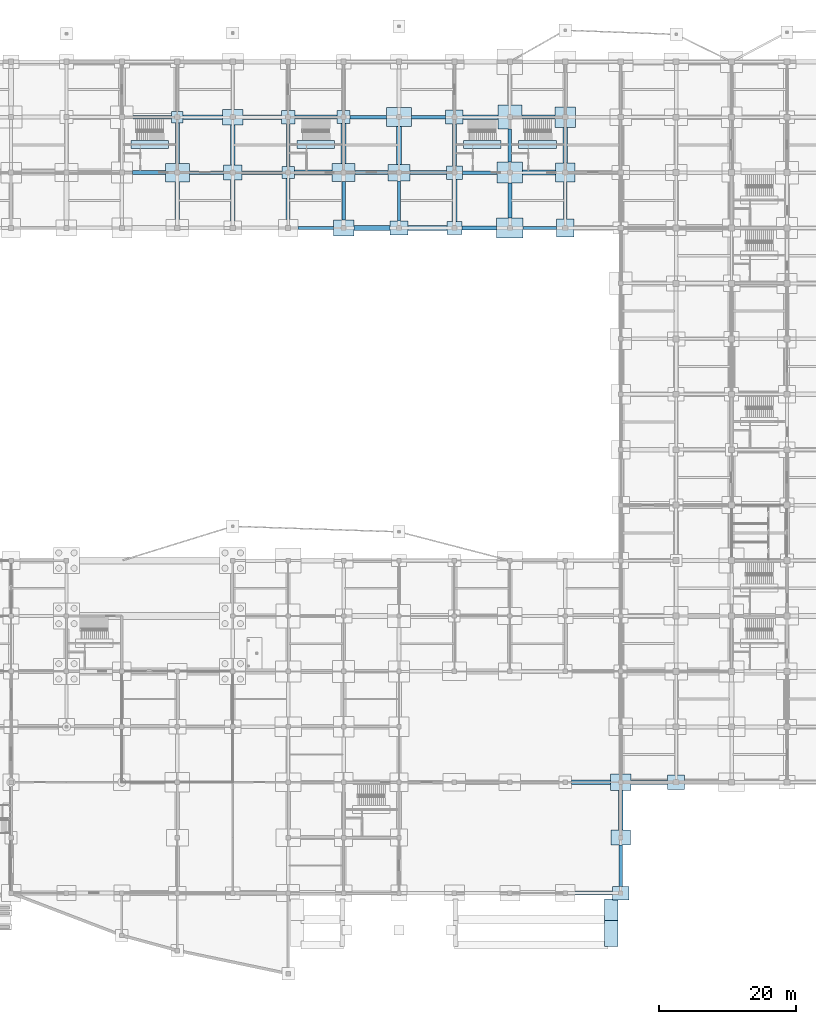
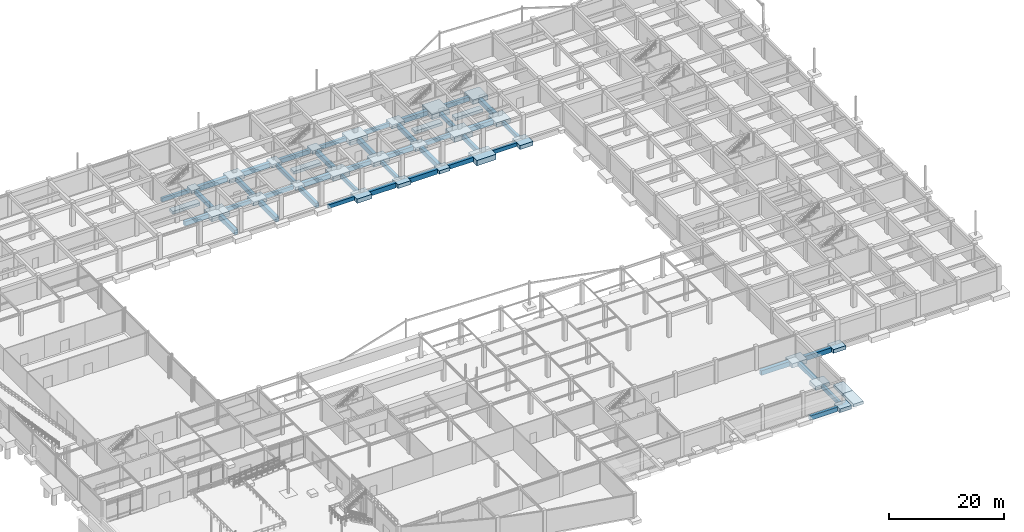
# One storey, part 6 of 67: 73 footings.
"""IFC4 building model written with IfcOpenShell, lengths in metres."""

from ifc_helpers import new_model, si_unit, direction, frame, origin, origin_2d, place, context, subcontext, project, spatial, rectangle, extrude, material, type_object, element, save


model = new_model("IFC4")

# Units and contexts
model_context = context("Model", 3, precision=1e-05, world=origin(), true_north=direction((0.0, 1.0)))
body_context = subcontext(model_context, "Body", "Model", "MODEL_VIEW")
ifc_project = project(units=[si_unit("LENGTHUNIT", "METRE"), si_unit("AREAUNIT", "SQUARE_METRE"), si_unit("VOLUMEUNIT", "CUBIC_METRE"), si_unit("PLANEANGLEUNIT", "RADIAN"), si_unit("MASSUNIT", "GRAM", prefix="KILO")], contexts=[model_context])

# Site, building, storey
site_placement = place(None, origin())
site = spatial("IfcSite", under=ifc_project, at=site_placement, CompositionType="ELEMENT")
building_placement = place(site_placement, origin())
building = spatial("IfcBuilding", under=site, at=building_placement, Name="Vaudrelin Polytechnic", CompositionType="ELEMENT")
storey_placement = place(building_placement, frame((0.0, 0.0, -5.10009765625)))
storey = spatial("IfcBuildingStorey", under=building, at=storey_placement, Name="B1", CompositionType="ELEMENT", Elevation=-5.10009765625)

# Footings
ifc_material = material(Name="Concrete 40 MPa", Category="concrete")
footing_type_1 = type_object("IfcFootingType", Name="FTG-GB-01", PredefinedType="FOOTING_BEAM", material=ifc_material)
footing_1_placement = place(storey_placement, frame((61.14990234375, 113.39990234375, -1.25), z_axis=(0.0, 0.0, 1.0), x_axis=(1.0, 0.0, 0.0)))
element("IfcFooting", 1, at=footing_1_placement, inside=storey, type_object=footing_type_1, Name="Ground tie beam GB-0123", PredefinedType="FOOTING_BEAM", context=body_context, shape_type="SweptSolid", body=[
    extrude(rectangle(XDim=5.60009765625, YDim=0.5, at=origin_2d()), origin(), (0.0, 0.0, 1.0), 0.800048828125),
])
footing_2_placement = place(storey_placement, frame((69.03759765625, 105.300048828125, -1.25), z_axis=(0.0, 0.0, 1.0), x_axis=(1.0, 0.0, 0.0)))
element("IfcFooting", 2, at=footing_2_placement, inside=storey, type_object=footing_type_1, Name="Ground tie beam GB-0135", PredefinedType="FOOTING_BEAM", context=body_context, shape_type="SweptSolid", body=[
    extrude(rectangle(XDim=4.97509765625, YDim=0.5, at=origin_2d()), origin(), (0.0, 0.0, 1.0), 0.800048828125),
])
footing_3_placement = place(storey_placement, frame((77.1875, 105.300048828125, -1.25), z_axis=(0.0, 0.0, 1.0), x_axis=(1.0, 0.0, 0.0)))
element("IfcFooting", 3, at=footing_3_placement, inside=storey, type_object=footing_type_1, Name="Ground tie beam GB-0150", PredefinedType="FOOTING_BEAM", context=body_context, shape_type="SweptSolid", body=[
    extrude(rectangle(XDim=5.824951171875, YDim=0.5, at=origin_2d()), origin(), (0.0, 0.0, 1.0), 0.800048828125),
])
footing_4_placement = place(storey_placement, frame((85.012451171875, 97.199951171875, -1.25), z_axis=(0.0, 0.0, 1.0), x_axis=(1.0, 0.0, 0.0)))
element("IfcFooting", 4, at=footing_4_placement, inside=storey, type_object=footing_type_1, Name="Ground tie beam GB-0168", PredefinedType="FOOTING_BEAM", context=body_context, shape_type="SweptSolid", body=[
    extrude(rectangle(XDim=5.175048828125, YDim=0.5, at=origin_2d()), origin(), (0.0, 0.0, 1.0), 0.800048828125),
])
footing_5_placement = place(storey_placement, frame((81.0, 109.300048828125, -1.25), z_axis=(0.0, 0.0, 1.0), x_axis=(1.0, 0.0, 0.0)))
element("IfcFooting", 5, at=footing_5_placement, inside=storey, type_object=footing_type_1, Name="Ground tie beam GB-0171", PredefinedType="FOOTING_BEAM", context=body_context, shape_type="SweptSolid", body=[
    extrude(rectangle(XDim=0.5, YDim=6.199951171875, at=origin_2d()), origin(), (0.0, 0.0, 1.0), 0.800048828125),
])
footing_6_placement = place(storey_placement, frame((89.10009765625, 101.199951171875, -1.25), z_axis=(0.0, 0.0, 1.0), x_axis=(1.0, 0.0, 0.0)))
element("IfcFooting", 6, at=footing_6_placement, inside=storey, type_object=footing_type_1, Name="Ground tie beam GB-0189", PredefinedType="FOOTING_BEAM", context=body_context, shape_type="SweptSolid", body=[
    extrude(rectangle(XDim=0.5, YDim=5.60009765625, at=origin_2d()), origin(), (0.0, 0.0, 1.0), 0.800048828125),
])
footing_7_placement = place(storey_placement, frame((92.72509765625, 113.39990234375, -1.25), z_axis=(0.0, 0.0, 1.0), x_axis=(1.0, 0.0, 0.0)))
element("IfcFooting", 7, at=footing_7_placement, inside=storey, type_object=footing_type_1, Name="Ground tie beam GB-0192", PredefinedType="FOOTING_BEAM", context=body_context, shape_type="SweptSolid", body=[
    extrude(rectangle(XDim=5.35009765625, YDim=0.5, at=origin_2d()), origin(), (0.0, 0.0, 1.0), 0.800048828125),
])
footing_8_placement = place(storey_placement, frame((97.199951171875, 101.14990234375, -1.25), z_axis=(0.0, 0.0, 1.0), x_axis=(1.0, 0.0, 0.0)))
element("IfcFooting", 8, at=footing_8_placement, inside=storey, type_object=footing_type_1, Name="Ground tie beam GB-0207", PredefinedType="FOOTING_BEAM", context=body_context, shape_type="SweptSolid", body=[
    extrude(rectangle(XDim=0.5, YDim=5.89990234375, at=origin_2d()), origin(), (0.0, 0.0, 1.0), 0.800048828125),
])
footing_9_placement = place(storey_placement, frame((101.512451171875, 113.39990234375, -1.25), z_axis=(0.0, 0.0, 1.0), x_axis=(1.0, 0.0, 0.0)))
element("IfcFooting", 9, at=footing_9_placement, inside=storey, type_object=footing_type_1, Name="Ground tie beam GB-0210", PredefinedType="FOOTING_BEAM", context=body_context, shape_type="SweptSolid", body=[
    extrude(rectangle(XDim=5.02490234375, YDim=0.5, at=origin_2d()), origin(), (0.0, 0.0, 1.0), 0.800048828125),
])
footing_10_placement = place(storey_placement, frame((109.012451171875, 105.300048828125, -1.25), z_axis=(0.0, 0.0, 1.0), x_axis=(1.0, 0.0, 0.0)))
element("IfcFooting", 10, at=footing_10_placement, inside=storey, type_object=footing_type_1, Name="Ground tie beam GB-0222", PredefinedType="FOOTING_BEAM", context=body_context, shape_type="SweptSolid", body=[
    extrude(rectangle(XDim=5.074951171875, YDim=0.5, at=origin_2d()), origin(), (0.0, 0.0, 1.0), 0.800048828125),
])
footing_11_placement = place(storey_placement, frame((117.77490234375, 97.199951171875, -1.25), z_axis=(0.0, 0.0, 1.0), x_axis=(1.0, 0.0, 0.0)))
element("IfcFooting", 11, at=footing_11_placement, inside=storey, type_object=footing_type_1, Name="Ground tie beam GB-0234", PredefinedType="FOOTING_BEAM", context=body_context, shape_type="SweptSolid", body=[
    extrude(rectangle(XDim=4.85009765625, YDim=0.5, at=origin_2d()), origin(), (0.0, 0.0, 1.0), 0.800048828125),
])
footing_12_placement = place(storey_placement, frame((113.39990234375, 109.25, -1.25), z_axis=(0.0, 0.0, 1.0), x_axis=(1.0, 0.0, 0.0)))
element("IfcFooting", 12, at=footing_12_placement, inside=storey, type_object=footing_type_1, Name="Ground tie beam GB-0237", PredefinedType="FOOTING_BEAM", context=body_context, shape_type="SweptSolid", body=[
    extrude(rectangle(XDim=0.5, YDim=4.800048828125, at=origin_2d()), origin(), (0.0, 0.0, 1.0), 0.800048828125),
])
footing_13_placement = place(storey_placement, frame((121.5, 101.199951171875, -1.25), z_axis=(0.0, 0.0, 1.0), x_axis=(1.0, 0.0, 0.0)))
element("IfcFooting", 13, at=footing_13_placement, inside=storey, type_object=footing_type_1, Name="Ground tie beam GB-0249", PredefinedType="FOOTING_BEAM", context=body_context, shape_type="SweptSolid", body=[
    extrude(rectangle(XDim=0.5, YDim=5.39990234375, at=origin_2d()), origin(), (0.0, 0.0, 1.0), 0.800048828125),
])
footing_14_placement = place(storey_placement, frame((129.60009765625, 4.0, -1.25), z_axis=(0.0, 0.0, 1.0), x_axis=(1.0, 0.0, 0.0)))
element("IfcFooting", 14, at=footing_14_placement, inside=storey, type_object=footing_type_1, Name="Ground tie beam GB-0255", PredefinedType="FOOTING_BEAM", context=body_context, shape_type="SweptSolid", body=[
    extrude(rectangle(XDim=0.5, YDim=6.0, at=origin_2d()), origin(), (0.0, 0.0, 1.0), 0.800048828125),
])
footing_type_2 = type_object("IfcFootingType", Name="FTG-GB-02", PredefinedType="FOOTING_BEAM", material=ifc_material)
footing_15_placement = place(storey_placement, frame((60.64990234375, 105.300048828125, -1.349853515625), z_axis=(0.0, 0.0, 1.0), x_axis=(1.0, 0.0, 0.0)))
element("IfcFooting", 15, at=footing_15_placement, inside=storey, type_object=footing_type_2, Name="Ground tie beam GB-0121", PredefinedType="FOOTING_BEAM", context=body_context, shape_type="SweptSolid", body=[
    extrude(rectangle(XDim=4.800048828125, YDim=0.60009765625, at=origin_2d()), origin(), (0.0, 0.0, 1.0), 0.89990234375),
])
for number, where, z_axis, x_axis, name in (
    (16, (64.800048828125, 109.60009765625, -1.349853515625), (0.0, 0.0, 1.0), (1.0, 0.0, 0.0), "Ground tie beam GB-0136"),
    (17, (72.89990234375, 109.324951171875, -1.349853515625), (0.0, 0.0, 1.0), (1.0, 0.0, 0.0), "Ground tie beam GB-0151"),
):
    element("IfcFooting", number, at=place(storey_placement, frame(where, z_axis=z_axis, x_axis=x_axis)), inside=storey, type_object=footing_type_2, Name=name, PredefinedType="FOOTING_BEAM", context=body_context, shape_type="SweptSolid", body=[
        extrude(rectangle(XDim=0.60009765625, YDim=5.89990234375, at=origin_2d()), origin(), (0.0, 0.0, 1.0), 0.89990234375),
    ])
footing_16_placement = place(storey_placement, frame((81.0, 101.41259765625, -1.349853515625), z_axis=(0.0, 0.0, 1.0), x_axis=(1.0, 0.0, 0.0)))
element("IfcFooting", 18, at=footing_16_placement, inside=storey, type_object=footing_type_2, Name="Ground tie beam GB-0169", PredefinedType="FOOTING_BEAM", context=body_context, shape_type="SweptSolid", body=[
    extrude(rectangle(XDim=0.60009765625, YDim=5.97509765625, at=origin_2d()), origin(), (0.0, 0.0, 1.0), 0.89990234375),
])
footing_17_placement = place(storey_placement, frame((85.074951171875, 113.39990234375, -1.349853515625), z_axis=(0.0, 0.0, 1.0), x_axis=(1.0, 0.0, 0.0)))
element("IfcFooting", 19, at=footing_17_placement, inside=storey, type_object=footing_type_2, Name="Ground tie beam GB-0172", PredefinedType="FOOTING_BEAM", context=body_context, shape_type="SweptSolid", body=[
    extrude(rectangle(XDim=6.14990234375, YDim=0.60009765625, at=origin_2d()), origin(), (0.0, 0.0, 1.0), 0.89990234375),
])
footing_18_placement = place(storey_placement, frame((93.199951171875, 105.300048828125, -1.349853515625), z_axis=(0.0, 0.0, 1.0), x_axis=(1.0, 0.0, 0.0)))
element("IfcFooting", 20, at=footing_18_placement, inside=storey, type_object=footing_type_2, Name="Ground tie beam GB-0190", PredefinedType="FOOTING_BEAM", context=body_context, shape_type="SweptSolid", body=[
    extrude(rectangle(XDim=4.800048828125, YDim=0.60009765625, at=origin_2d()), origin(), (0.0, 0.0, 1.0), 0.89990234375),
])
footing_19_placement = place(storey_placement, frame((101.46240234375, 105.300048828125, -1.349853515625), z_axis=(0.0, 0.0, 1.0), x_axis=(1.0, 0.0, 0.0)))
element("IfcFooting", 21, at=footing_19_placement, inside=storey, type_object=footing_type_2, Name="Ground tie beam GB-0208", PredefinedType="FOOTING_BEAM", context=body_context, shape_type="SweptSolid", body=[
    extrude(rectangle(XDim=5.324951171875, YDim=0.60009765625, at=origin_2d()), origin(), (0.0, 0.0, 1.0), 0.89990234375),
])
footing_20_placement = place(storey_placement, frame((108.91259765625, 97.199951171875, -1.349853515625), z_axis=(0.0, 0.0, 1.0), x_axis=(1.0, 0.0, 0.0)))
element("IfcFooting", 22, at=footing_20_placement, inside=storey, type_object=footing_type_2, Name="Ground tie beam GB-0220", PredefinedType="FOOTING_BEAM", context=body_context, shape_type="SweptSolid", body=[
    extrude(rectangle(XDim=5.074951171875, YDim=0.60009765625, at=origin_2d()), origin(), (0.0, 0.0, 1.0), 0.89990234375),
])
footing_21_placement = place(storey_placement, frame((105.300048828125, 109.324951171875, -1.349853515625), z_axis=(0.0, 0.0, 1.0), x_axis=(1.0, 0.0, 0.0)))
element("IfcFooting", 23, at=footing_21_placement, inside=storey, type_object=footing_type_2, Name="Ground tie beam GB-0223", PredefinedType="FOOTING_BEAM", context=body_context, shape_type="SweptSolid", body=[
    extrude(rectangle(XDim=0.60009765625, YDim=6.10009765625, at=origin_2d()), origin(), (0.0, 0.0, 1.0), 0.89990234375),
])
footing_22_placement = place(storey_placement, frame((113.39990234375, 101.199951171875, -1.349853515625), z_axis=(0.0, 0.0, 1.0), x_axis=(1.0, 0.0, 0.0)))
element("IfcFooting", 24, at=footing_22_placement, inside=storey, type_object=footing_type_2, Name="Ground tie beam GB-0235", PredefinedType="FOOTING_BEAM", context=body_context, shape_type="SweptSolid", body=[
    extrude(rectangle(XDim=0.60009765625, YDim=5.10009765625, at=origin_2d()), origin(), (0.0, 0.0, 1.0), 0.89990234375),
])
footing_23_placement = place(storey_placement, frame((117.574951171875, 113.39990234375, -1.349853515625), z_axis=(0.0, 0.0, 1.0), x_axis=(1.0, 0.0, 0.0)))
element("IfcFooting", 25, at=footing_23_placement, inside=storey, type_object=footing_type_2, Name="Ground tie beam GB-0238", PredefinedType="FOOTING_BEAM", context=body_context, shape_type="SweptSolid", body=[
    extrude(rectangle(XDim=4.85009765625, YDim=0.60009765625, at=origin_2d()), origin(), (0.0, 0.0, 1.0), 0.89990234375),
])
footing_24_placement = place(storey_placement, frame((125.66259765625, 0.0, -1.349853515625), z_axis=(0.0, 0.0, 1.0), x_axis=(1.0, 0.0, 0.0)))
element("IfcFooting", 26, at=footing_24_placement, inside=storey, type_object=footing_type_2, Name="Ground tie beam GB-0241", PredefinedType="FOOTING_BEAM", context=body_context, shape_type="SweptSolid", body=[
    extrude(rectangle(XDim=5.47509765625, YDim=0.60009765625, at=origin_2d()), origin(), (0.0, 0.0, 1.0), 0.89990234375),
])
footing_25_placement = place(storey_placement, frame((129.60009765625, 12.10009765625, -1.349853515625), z_axis=(0.0, 0.0, 1.0), x_axis=(1.0, 0.0, 0.0)))
element("IfcFooting", 27, at=footing_25_placement, inside=storey, type_object=footing_type_2, Name="Ground tie beam GB-0256", PredefinedType="FOOTING_BEAM", context=body_context, shape_type="SweptSolid", body=[
    extrude(rectangle(XDim=0.60009765625, YDim=5.800048828125, at=origin_2d()), origin(), (0.0, 0.0, 1.0), 0.89990234375),
])
footing_type_3 = type_object("IfcFootingType", Name="FTG-GB-03", PredefinedType="FOOTING_BEAM", material=ifc_material)
footing_26_placement = place(storey_placement, frame((64.800048828125, 101.199951171875, -1.449951171875), z_axis=(0.0, 0.0, 1.0), x_axis=(1.0, 0.0, 0.0)))
element("IfcFooting", 28, at=footing_26_placement, inside=storey, type_object=footing_type_3, Name="Ground tie beam GB-0134", PredefinedType="FOOTING_BEAM", context=body_context, shape_type="SweptSolid", body=[
    extrude(rectangle(XDim=0.699951171875, YDim=5.5, at=origin_2d()), origin(), (0.0, 0.0, 1.0), 1.0),
])
footing_27_placement = place(storey_placement, frame((68.53759765625, 113.39990234375, -1.449951171875), z_axis=(0.0, 0.0, 1.0), x_axis=(1.0, 0.0, 0.0)))
element("IfcFooting", 29, at=footing_27_placement, inside=storey, type_object=footing_type_3, Name="Ground tie beam GB-0137", PredefinedType="FOOTING_BEAM", context=body_context, shape_type="SweptSolid", body=[
    extrude(rectangle(XDim=5.77490234375, YDim=0.699951171875, at=origin_2d()), origin(), (0.0, 0.0, 1.0), 1.0),
])
footing_28_placement = place(storey_placement, frame((72.89990234375, 101.22509765625, -1.449951171875), z_axis=(0.0, 0.0, 1.0), x_axis=(1.0, 0.0, 0.0)))
element("IfcFooting", 30, at=footing_28_placement, inside=storey, type_object=footing_type_3, Name="Ground tie beam GB-0149", PredefinedType="FOOTING_BEAM", context=body_context, shape_type="SweptSolid", body=[
    extrude(rectangle(XDim=0.699951171875, YDim=6.0, at=origin_2d()), origin(), (0.0, 0.0, 1.0), 1.0),
])
footing_29_placement = place(storey_placement, frame((77.1875, 113.39990234375, -1.449951171875), z_axis=(0.0, 0.0, 1.0), x_axis=(1.0, 0.0, 0.0)))
element("IfcFooting", 31, at=footing_29_placement, inside=storey, type_object=footing_type_3, Name="Ground tie beam GB-0152", PredefinedType="FOOTING_BEAM", context=body_context, shape_type="SweptSolid", body=[
    extrude(rectangle(XDim=5.625, YDim=0.699951171875, at=origin_2d()), origin(), (0.0, 0.0, 1.0), 1.0),
])
footing_30_placement = place(storey_placement, frame((84.64990234375, 105.300048828125, -1.449951171875), z_axis=(0.0, 0.0, 1.0), x_axis=(1.0, 0.0, 0.0)))
element("IfcFooting", 32, at=footing_30_placement, inside=storey, type_object=footing_type_3, Name="Ground tie beam GB-0170", PredefinedType="FOOTING_BEAM", context=body_context, shape_type="SweptSolid", body=[
    extrude(rectangle(XDim=5.5, YDim=0.699951171875, at=origin_2d()), origin(), (0.0, 0.0, 1.0), 1.0),
])
footing_31_placement = place(storey_placement, frame((93.25, 97.199951171875, -1.449951171875), z_axis=(0.0, 0.0, 1.0), x_axis=(1.0, 0.0, 0.0)))
element("IfcFooting", 33, at=footing_31_placement, inside=storey, type_object=footing_type_3, Name="Ground tie beam GB-0188", PredefinedType="FOOTING_BEAM", context=body_context, shape_type="SweptSolid", body=[
    extrude(rectangle(XDim=5.300048828125, YDim=0.699951171875, at=origin_2d()), origin(), (0.0, 0.0, 1.0), 1.0),
])
footing_32_placement = place(storey_placement, frame((89.10009765625, 109.52490234375, -1.449951171875), z_axis=(0.0, 0.0, 1.0), x_axis=(1.0, 0.0, 0.0)))
element("IfcFooting", 34, at=footing_32_placement, inside=storey, type_object=footing_type_3, Name="Ground tie beam GB-0191", PredefinedType="FOOTING_BEAM", context=body_context, shape_type="SweptSolid", body=[
    extrude(rectangle(XDim=0.699951171875, YDim=5.85009765625, at=origin_2d()), origin(), (0.0, 0.0, 1.0), 1.0),
])
footing_33_placement = place(storey_placement, frame((101.362548828125, 97.199951171875, -1.449951171875), z_axis=(0.0, 0.0, 1.0), x_axis=(1.0, 0.0, 0.0)))
element("IfcFooting", 35, at=footing_33_placement, inside=storey, type_object=footing_type_3, Name="Ground tie beam GB-0206", PredefinedType="FOOTING_BEAM", context=body_context, shape_type="SweptSolid", body=[
    extrude(rectangle(XDim=5.72509765625, YDim=0.699951171875, at=origin_2d()), origin(), (0.0, 0.0, 1.0), 1.0),
])
footing_34_placement = place(storey_placement, frame((97.199951171875, 109.25, -1.449951171875), z_axis=(0.0, 0.0, 1.0), x_axis=(1.0, 0.0, 0.0)))
element("IfcFooting", 36, at=footing_34_placement, inside=storey, type_object=footing_type_3, Name="Ground tie beam GB-0209", PredefinedType="FOOTING_BEAM", context=body_context, shape_type="SweptSolid", body=[
    extrude(rectangle(XDim=0.699951171875, YDim=5.5, at=origin_2d()), origin(), (0.0, 0.0, 1.0), 1.0),
])
footing_35_placement = place(storey_placement, frame((105.300048828125, 101.22509765625, -1.449951171875), z_axis=(0.0, 0.0, 1.0), x_axis=(1.0, 0.0, 0.0)))
element("IfcFooting", 37, at=footing_35_placement, inside=storey, type_object=footing_type_3, Name="Ground tie beam GB-0221", PredefinedType="FOOTING_BEAM", context=body_context, shape_type="SweptSolid", body=[
    extrude(rectangle(XDim=0.699951171875, YDim=6.199951171875, at=origin_2d()), origin(), (0.0, 0.0, 1.0), 1.0),
])
footing_36_placement = place(storey_placement, frame((109.112548828125, 113.39990234375, -1.449951171875), z_axis=(0.0, 0.0, 1.0), x_axis=(1.0, 0.0, 0.0)))
element("IfcFooting", 38, at=footing_36_placement, inside=storey, type_object=footing_type_3, Name="Ground tie beam GB-0224", PredefinedType="FOOTING_BEAM", context=body_context, shape_type="SweptSolid", body=[
    extrude(rectangle(XDim=5.074951171875, YDim=0.699951171875, at=origin_2d()), origin(), (0.0, 0.0, 1.0), 1.0),
])
footing_37_placement = place(storey_placement, frame((117.675048828125, 105.300048828125, -1.449951171875), z_axis=(0.0, 0.0, 1.0), x_axis=(1.0, 0.0, 0.0)))
element("IfcFooting", 39, at=footing_37_placement, inside=storey, type_object=footing_type_3, Name="Ground tie beam GB-0236", PredefinedType="FOOTING_BEAM", context=body_context, shape_type="SweptSolid", body=[
    extrude(rectangle(XDim=4.85009765625, YDim=0.699951171875, at=origin_2d()), origin(), (0.0, 0.0, 1.0), 1.0),
])
footing_38_placement = place(storey_placement, frame((125.25, 16.199951171875, -1.449951171875), z_axis=(0.0, 0.0, 1.0), x_axis=(1.0, 0.0, 0.0)))
element("IfcFooting", 40, at=footing_38_placement, inside=storey, type_object=footing_type_3, Name="Ground tie beam GB-0242", PredefinedType="FOOTING_BEAM", context=body_context, shape_type="SweptSolid", body=[
    extrude(rectangle(XDim=5.699951171875, YDim=0.699951171875, at=origin_2d()), origin(), (0.0, 0.0, 1.0), 1.0),
])
footing_39_placement = place(storey_placement, frame((121.5, 109.300048828125, -1.449951171875), z_axis=(0.0, 0.0, 1.0), x_axis=(1.0, 0.0, 0.0)))
element("IfcFooting", 41, at=footing_39_placement, inside=storey, type_object=footing_type_3, Name="Ground tie beam GB-0251", PredefinedType="FOOTING_BEAM", context=body_context, shape_type="SweptSolid", body=[
    extrude(rectangle(XDim=0.699951171875, YDim=5.199951171875, at=origin_2d()), origin(), (0.0, 0.0, 1.0), 1.0),
])
footing_40_placement = place(storey_placement, frame((133.77490234375, 16.199951171875, -1.449951171875), z_axis=(0.0, 0.0, 1.0), x_axis=(1.0, 0.0, 0.0)))
element("IfcFooting", 42, at=footing_40_placement, inside=storey, type_object=footing_type_3, Name="Ground tie beam GB-0257", PredefinedType="FOOTING_BEAM", context=body_context, shape_type="SweptSolid", body=[
    extrude(rectangle(XDim=5.35009765625, YDim=0.699951171875, at=origin_2d()), origin(), (0.0, 0.0, 1.0), 1.0),
])
footing_type_4 = type_object("IfcFootingType", Name="FTG-PF-01", PredefinedType="PAD_FOOTING", material=ifc_material)
footing_41_placement = place(storey_placement, frame((81.0, 105.300048828125, -1.099853515625), z_axis=(0.0, 0.0, 1.0), x_axis=(1.0, 0.0, 0.0)))
element("IfcFooting", 43, at=footing_41_placement, inside=storey, type_object=footing_type_4, Name="Spread footing 10-13", PredefinedType="PAD_FOOTING", context=body_context, shape_type="SweptSolid", body=[
    extrude(rectangle(XDim=1.800048828125, YDim=1.800048828125, at=origin_2d()), origin(), (0.0, 0.0, 1.0), 0.64990234375),
])
footing_type_5 = type_object("IfcFootingType", Name="FTG-PF-02", PredefinedType="PAD_FOOTING", material=ifc_material)
footing_42_placement = place(storey_placement, frame((81.0, 113.39990234375, -1.14990234375), z_axis=(0.0, 0.0, 1.0), x_axis=(1.0, 0.0, 0.0)))
element("IfcFooting", 44, at=footing_42_placement, inside=storey, type_object=footing_type_5, Name="Spread footing 10-14", PredefinedType="PAD_FOOTING", context=body_context, shape_type="SweptSolid", body=[
    extrude(rectangle(XDim=2.0, YDim=2.0, at=origin_2d()), origin(), (0.0, 0.0, 1.0), 0.699951171875),
])
footing_type_6 = type_object("IfcFootingType", Name="FTG-PF-05", PredefinedType="PAD_FOOTING", material=ifc_material)
footing_43_placement = place(storey_placement, frame((121.5, 97.199951171875, -1.300048828125), z_axis=(0.0, 0.0, 1.0), x_axis=(1.0, 0.0, 0.0)))
element("IfcFooting", 45, at=footing_43_placement, inside=storey, type_object=footing_type_6, Name="Spread footing 15-12", PredefinedType="PAD_FOOTING", context=body_context, shape_type="SweptSolid", body=[
    extrude(rectangle(XDim=2.60009765625, YDim=2.60009765625, at=origin_2d()), origin(), (0.0, 0.0, 1.0), 0.85009765625),
])
footing_type_7 = type_object("IfcFootingType", Name="FTG-PF-06", PredefinedType="PAD_FOOTING", material=ifc_material)
footing_44_placement = place(storey_placement, frame((121.5, 105.300048828125, -1.349853515625), z_axis=(0.0, 0.0, 1.0), x_axis=(1.0, 0.0, 0.0)))
element("IfcFooting", 46, at=footing_44_placement, inside=storey, type_object=footing_type_7, Name="Spread footing 15-13", PredefinedType="PAD_FOOTING", context=body_context, shape_type="SweptSolid", body=[
    extrude(rectangle(XDim=2.800048828125, YDim=2.800048828125, at=origin_2d()), origin(), (0.0, 0.0, 1.0), 0.89990234375),
])
footing_type_8 = type_object("IfcFootingType", Name="FTG-PF-07", PredefinedType="PAD_FOOTING", material=ifc_material)
footing_45_placement = place(storey_placement, frame((121.5, 113.39990234375, -1.39990234375), z_axis=(0.0, 0.0, 1.0), x_axis=(1.0, 0.0, 0.0)))
element("IfcFooting", 47, at=footing_45_placement, inside=storey, type_object=footing_type_8, Name="Spread footing 15-14", PredefinedType="PAD_FOOTING", context=body_context, shape_type="SweptSolid", body=[
    extrude(rectangle(XDim=3.0, YDim=3.0, at=origin_2d()), origin(), (0.0, 0.0, 1.0), 0.949951171875),
])
footing_type_9 = type_object("IfcFootingType", Name="FTG-PF-09", PredefinedType="PAD_FOOTING", material=ifc_material)
footing_46_placement = place(storey_placement, frame((129.60009765625, 0.0, -1.199951171875), z_axis=(0.0, 0.0, 1.0), x_axis=(1.0, 0.0, 0.0)))
element("IfcFooting", 48, at=footing_46_placement, inside=storey, type_object=footing_type_9, Name="Spread footing 16-0", PredefinedType="PAD_FOOTING", context=body_context, shape_type="SweptSolid", body=[
    extrude(rectangle(XDim=2.39990234375, YDim=2.0, at=origin_2d()), origin(), (0.0, 0.0, 1.0), 0.75),
])
footing_type_10 = type_object("IfcFootingType", Name="FTG-PF-10", PredefinedType="PAD_FOOTING", material=ifc_material)
footing_47_placement = place(storey_placement, frame((129.60009765625, 8.10009765625, -1.300048828125), z_axis=(0.0, 0.0, 1.0), x_axis=(1.0, 0.0, 0.0)))
element("IfcFooting", 49, at=footing_47_placement, inside=storey, type_object=footing_type_10, Name="Spread footing 16-1", PredefinedType="PAD_FOOTING", context=body_context, shape_type="SweptSolid", body=[
    extrude(rectangle(XDim=2.800048828125, YDim=2.199951171875, at=origin_2d()), origin(), (0.0, 0.0, 1.0), 0.85009765625),
])
footing_type_11 = type_object("IfcFootingType", Name="FTG-PF-11", PredefinedType="PAD_FOOTING", material=ifc_material)
for number, where, z_axis, x_axis, name in (
    (50, (89.10009765625, 97.199951171875, -1.349853515625), (0.0, 0.0, 1.0), (1.0, 0.0, 0.0), "Spread footing 11-12"),
    (51, (129.60009765625, 16.199951171875, -1.349853515625), (0.0, 0.0, 1.0), (1.0, 0.0, 0.0), "Spread footing 16-2"),
):
    element("IfcFooting", number, at=place(storey_placement, frame(where, z_axis=z_axis, x_axis=x_axis)), inside=storey, type_object=footing_type_11, Name=name, PredefinedType="PAD_FOOTING", context=body_context, shape_type="SweptSolid", body=[
        extrude(rectangle(XDim=3.0, YDim=2.39990234375, at=origin_2d()), origin(), (0.0, 0.0, 1.0), 0.89990234375),
    ])
footing_type_12 = type_object("IfcFootingType", Name="FTG-PF-12", PredefinedType="PAD_FOOTING", material=ifc_material)
footing_48_placement = place(storey_placement, frame((89.10009765625, 105.300048828125, -1.449951171875), z_axis=(0.0, 0.0, 1.0), x_axis=(1.0, 0.0, 0.0)))
element("IfcFooting", 52, at=footing_48_placement, inside=storey, type_object=footing_type_12, Name="Spread footing 11-13", PredefinedType="PAD_FOOTING", context=body_context, shape_type="SweptSolid", body=[
    extrude(rectangle(XDim=3.39990234375, YDim=2.60009765625, at=origin_2d()), origin(), (0.0, 0.0, 1.0), 1.0),
])
footing_type_13 = type_object("IfcFootingType", Name="FTG-PF-13", PredefinedType="PAD_FOOTING", material=ifc_material)
footing_49_placement = place(storey_placement, frame((89.10009765625, 113.39990234375, -1.099853515625), z_axis=(0.0, 0.0, 1.0), x_axis=(1.0, 0.0, 0.0)))
element("IfcFooting", 53, at=footing_49_placement, inside=storey, type_object=footing_type_13, Name="Spread footing 11-14", PredefinedType="PAD_FOOTING", context=body_context, shape_type="SweptSolid", body=[
    extrude(rectangle(XDim=1.89990234375, YDim=1.89990234375, at=origin_2d()), origin(), (0.0, 0.0, 1.0), 0.64990234375),
])
footing_type_14 = type_object("IfcFootingType", Name="FTG-PF-22", PredefinedType="PAD_FOOTING", material=ifc_material)
footing_50_placement = place(storey_placement, frame((97.199951171875, 97.199951171875, -1.25), z_axis=(0.0, 0.0, 1.0), x_axis=(1.0, 0.0, 0.0)))
element("IfcFooting", 54, at=footing_50_placement, inside=storey, type_object=footing_type_14, Name="Spread footing 12-12", PredefinedType="PAD_FOOTING", context=body_context, shape_type="SweptSolid", body=[
    extrude(rectangle(XDim=2.60009765625, YDim=2.0, at=origin_2d()), origin(), (0.0, 0.0, 1.0), 0.800048828125),
])
footing_type_15 = type_object("IfcFootingType", Name="FTG-PF-23", PredefinedType="PAD_FOOTING", material=ifc_material)
footing_51_placement = place(storey_placement, frame((97.199951171875, 105.300048828125, -1.39990234375), z_axis=(0.0, 0.0, 1.0), x_axis=(1.0, 0.0, 0.0)))
element("IfcFooting", 55, at=footing_51_placement, inside=storey, type_object=footing_type_15, Name="Spread footing 12-13", PredefinedType="PAD_FOOTING", context=body_context, shape_type="SweptSolid", body=[
    extrude(rectangle(XDim=3.199951171875, YDim=2.39990234375, at=origin_2d()), origin(), (0.0, 0.0, 1.0), 0.949951171875),
])
footing_type_16 = type_object("IfcFootingType", Name="FTG-PF-24", PredefinedType="PAD_FOOTING", material=ifc_material)
footing_52_placement = place(storey_placement, frame((97.199951171875, 113.39990234375, -1.550048828125), z_axis=(0.0, 0.0, 1.0), x_axis=(1.0, 0.0, 0.0)))
element("IfcFooting", 56, at=footing_52_placement, inside=storey, type_object=footing_type_16, Name="Spread footing 12-14", PredefinedType="PAD_FOOTING", context=body_context, shape_type="SweptSolid", body=[
    extrude(rectangle(XDim=3.60009765625, YDim=2.800048828125, at=origin_2d()), origin(), (0.0, 0.0, 1.0), 1.10009765625),
])
footing_type_17 = type_object("IfcFootingType", Name="FTG-PF-25", PredefinedType="PAD_FOOTING", material=ifc_material)
footing_53_placement = place(storey_placement, frame((137.699951171875, 16.199951171875, -1.22998046875), z_axis=(0.0, 0.0, 1.0), x_axis=(1.0, 0.0, 0.0)))
element("IfcFooting", 57, at=footing_53_placement, inside=storey, type_object=footing_type_17, Name="Spread footing 17-2", PredefinedType="PAD_FOOTING", context=body_context, shape_type="SweptSolid", body=[
    extrude(rectangle(XDim=2.5, YDim=2.10009765625, at=origin_2d()), origin(), (0.0, 0.0, 1.0), 0.780029296875),
])
footing_type_18 = type_object("IfcFootingType", Name="FTG-PF-28", PredefinedType="PAD_FOOTING", material=ifc_material)
footing_54_placement = place(storey_placement, frame((64.800048828125, 105.300048828125, -1.5), z_axis=(0.0, 0.0, 1.0), x_axis=(1.0, 0.0, 0.0)))
element("IfcFooting", 58, at=footing_54_placement, inside=storey, type_object=footing_type_18, Name="Spread footing 8-13", PredefinedType="PAD_FOOTING", context=body_context, shape_type="SweptSolid", body=[
    extrude(rectangle(XDim=3.5, YDim=2.699951171875, at=origin_2d()), origin(), (0.0, 0.0, 1.0), 1.050048828125),
])
footing_type_19 = type_object("IfcFootingType", Name="FTG-PF-29", PredefinedType="PAD_FOOTING", material=ifc_material)
footing_55_placement = place(storey_placement, frame((64.800048828125, 113.39990234375, -1.050048828125), z_axis=(0.0, 0.0, 1.0), x_axis=(1.0, 0.0, 0.0)))
element("IfcFooting", 59, at=footing_55_placement, inside=storey, type_object=footing_type_19, Name="Spread footing 8-14", PredefinedType="PAD_FOOTING", context=body_context, shape_type="SweptSolid", body=[
    extrude(rectangle(XDim=1.699951171875, YDim=1.699951171875, at=origin_2d()), origin(), (0.0, 0.0, 1.0), 0.60009765625),
])
footing_type_20 = type_object("IfcFootingType", Name="FTG-PF-31", PredefinedType="PAD_FOOTING", material=ifc_material)
footing_56_placement = place(storey_placement, frame((105.300048828125, 97.199951171875, -1.14990234375), z_axis=(0.0, 0.0, 1.0), x_axis=(1.0, 0.0, 0.0)))
element("IfcFooting", 60, at=footing_56_placement, inside=storey, type_object=footing_type_20, Name="Spread footing 13-12", PredefinedType="PAD_FOOTING", context=body_context, shape_type="SweptSolid", body=[
    extrude(rectangle(XDim=2.14990234375, YDim=1.85009765625, at=origin_2d()), origin(), (0.0, 0.0, 1.0), 0.699951171875),
])
footing_type_21 = type_object("IfcFootingType", Name="FTG-PF-32", PredefinedType="PAD_FOOTING", material=ifc_material)
footing_57_placement = place(storey_placement, frame((105.300048828125, 105.300048828125, -1.199951171875), z_axis=(0.0, 0.0, 1.0), x_axis=(1.0, 0.0, 0.0)))
element("IfcFooting", 61, at=footing_57_placement, inside=storey, type_object=footing_type_21, Name="Spread footing 13-13", PredefinedType="PAD_FOOTING", context=body_context, shape_type="SweptSolid", body=[
    extrude(rectangle(XDim=2.35009765625, YDim=1.949951171875, at=origin_2d()), origin(), (0.0, 0.0, 1.0), 0.75),
])
footing_type_22 = type_object("IfcFootingType", Name="FTG-PF-33", PredefinedType="PAD_FOOTING", material=ifc_material)
footing_58_placement = place(storey_placement, frame((105.300048828125, 113.39990234375, -1.25), z_axis=(0.0, 0.0, 1.0), x_axis=(1.0, 0.0, 0.0)))
element("IfcFooting", 62, at=footing_58_placement, inside=storey, type_object=footing_type_22, Name="Spread footing 13-14", PredefinedType="PAD_FOOTING", context=body_context, shape_type="SweptSolid", body=[
    extrude(rectangle(XDim=2.550048828125, YDim=2.050048828125, at=origin_2d()), origin(), (0.0, 0.0, 1.0), 0.800048828125),
])
footing_type_23 = type_object("IfcFootingType", Name="FTG-PF-34", PredefinedType="PAD_FOOTING", material=ifc_material)
footing_59_placement = place(storey_placement, frame((72.89990234375, 105.300048828125, -1.300048828125), z_axis=(0.0, 0.0, 1.0), x_axis=(1.0, 0.0, 0.0)))
element("IfcFooting", 63, at=footing_59_placement, inside=storey, type_object=footing_type_23, Name="Spread footing 9-13", PredefinedType="PAD_FOOTING", context=body_context, shape_type="SweptSolid", body=[
    extrude(rectangle(XDim=2.75, YDim=2.14990234375, at=origin_2d()), origin(), (0.0, 0.0, 1.0), 0.85009765625),
])
footing_type_24 = type_object("IfcFootingType", Name="FTG-PF-35", PredefinedType="PAD_FOOTING", material=ifc_material)
footing_60_placement = place(storey_placement, frame((72.89990234375, 113.39990234375, -1.349853515625), z_axis=(0.0, 0.0, 1.0), x_axis=(1.0, 0.0, 0.0)))
element("IfcFooting", 64, at=footing_60_placement, inside=storey, type_object=footing_type_24, Name="Spread footing 9-14", PredefinedType="PAD_FOOTING", context=body_context, shape_type="SweptSolid", body=[
    extrude(rectangle(XDim=2.949951171875, YDim=2.25, at=origin_2d()), origin(), (0.0, 0.0, 1.0), 0.89990234375),
])
footing_type_25 = type_object("IfcFootingType", Name="FTG-PF-40", PredefinedType="PAD_FOOTING", material=ifc_material)
footing_61_placement = place(storey_placement, frame((113.39990234375, 97.199951171875, -1.599853515625), z_axis=(0.0, 0.0, 1.0), x_axis=(1.0, 0.0, 0.0)))
element("IfcFooting", 65, at=footing_61_placement, inside=storey, type_object=footing_type_25, Name="Spread footing 14-12", PredefinedType="PAD_FOOTING", context=body_context, shape_type="SweptSolid", body=[
    extrude(rectangle(XDim=3.89990234375, YDim=2.89990234375, at=origin_2d()), origin(), (0.0, 0.0, 1.0), 1.14990234375),
])
footing_type_26 = type_object("IfcFootingType", Name="FTG-PF-41", PredefinedType="PAD_FOOTING", material=ifc_material)
footing_62_placement = place(storey_placement, frame((113.39990234375, 105.300048828125, -1.550048828125), z_axis=(0.0, 0.0, 1.0), x_axis=(1.0, 0.0, 0.0)))
element("IfcFooting", 66, at=footing_62_placement, inside=storey, type_object=footing_type_26, Name="Spread footing 14-13", PredefinedType="PAD_FOOTING", context=body_context, shape_type="SweptSolid", body=[
    extrude(rectangle(XDim=3.699951171875, YDim=3.10009765625, at=origin_2d()), origin(), (0.0, 0.0, 1.0), 1.10009765625),
])
footing_type_27 = type_object("IfcFootingType", Name="FTG-PF-42", PredefinedType="PAD_FOOTING", material=ifc_material)
footing_63_placement = place(storey_placement, frame((113.39990234375, 113.39990234375, -1.550048828125), z_axis=(0.0, 0.0, 1.0), x_axis=(1.0, 0.0, 0.0)))
element("IfcFooting", 67, at=footing_63_placement, inside=storey, type_object=footing_type_27, Name="Spread footing 14-14", PredefinedType="PAD_FOOTING", context=body_context, shape_type="SweptSolid", body=[
    extrude(rectangle(XDim=3.5, YDim=3.5, at=origin_2d()), origin(), (0.0, 0.0, 1.0), 1.10009765625),
])
footing_type_28 = type_object("IfcFootingType", Name="FTG-SF-01", PredefinedType="STRIP_FOOTING", material=ifc_material)
for number, where, z_axis, x_axis, name in (
    (68, (85.050048828125, 109.409912109375, -1.099853515625), (0.0, 0.0, 1.0), (1.0, 0.0, 0.0), "Core C2 stair wall strip footing"),
    (69, (60.75, 109.409912109375, -1.099853515625), (0.0, 0.0, 1.0), (1.0, 0.0, 0.0), "Core C9 stair wall strip footing"),
    (70, (117.449951171875, 109.409912109375, -1.099853515625), (0.0, 0.0, 1.0), (1.0, 0.0, 0.0), "Core C10 stair wall strip footing"),
    (71, (109.35009765625, 109.409912109375, -1.099853515625), (0.0, 0.0, 1.0), (1.0, 0.0, 0.0), "Core C11 stair wall strip footing"),
):
    element("IfcFooting", number, at=place(storey_placement, frame(where, z_axis=z_axis, x_axis=x_axis)), inside=storey, type_object=footing_type_28, Name=name, PredefinedType="STRIP_FOOTING", context=body_context, shape_type="SweptSolid", body=[
        extrude(rectangle(XDim=5.5, YDim=1.199951171875, at=origin_2d()), origin(), (0.0, 0.0, 1.0), 0.60009765625),
    ])
footing_type_29 = type_object("IfcFootingType", Name="FTG-SF-06", PredefinedType="STRIP_FOOTING", material=ifc_material)
footing_64_placement = place(storey_placement, frame((128.25, -5.85009765625, 4.5), z_axis=(0.0, 0.0, 1.0), x_axis=(1.0, 0.0, 0.0)))
element("IfcFooting", 72, at=footing_64_placement, inside=storey, type_object=footing_type_29, Name="Green-hill retaining footing EAST-1.2", PredefinedType="STRIP_FOOTING", context=body_context, shape_type="SweptSolid", body=[
    extrude(rectangle(XDim=1.96630859375, YDim=3.86572265625, at=origin_2d()), origin(), (0.0, 0.0, 1.0), 0.60009765625),
])
footing_type_30 = type_object("IfcFootingType", Name="FTG-SF-07", PredefinedType="STRIP_FOOTING", material=ifc_material)
footing_65_placement = place(storey_placement, frame((128.25, -2.44091796875, 4.5), z_axis=(0.0, 0.0, 1.0), x_axis=(1.0, 0.0, 0.0)))
element("IfcFooting", 73, at=footing_65_placement, inside=storey, type_object=footing_type_30, Name="Green-hill retaining footing EAST-2.2", PredefinedType="STRIP_FOOTING", context=body_context, shape_type="SweptSolid", body=[
    extrude(rectangle(XDim=1.970458984375, YDim=3.18212890625, at=origin_2d()), origin(), (0.0, 0.0, 1.0), 0.60009765625),
])

save(model, "model.ifc")
